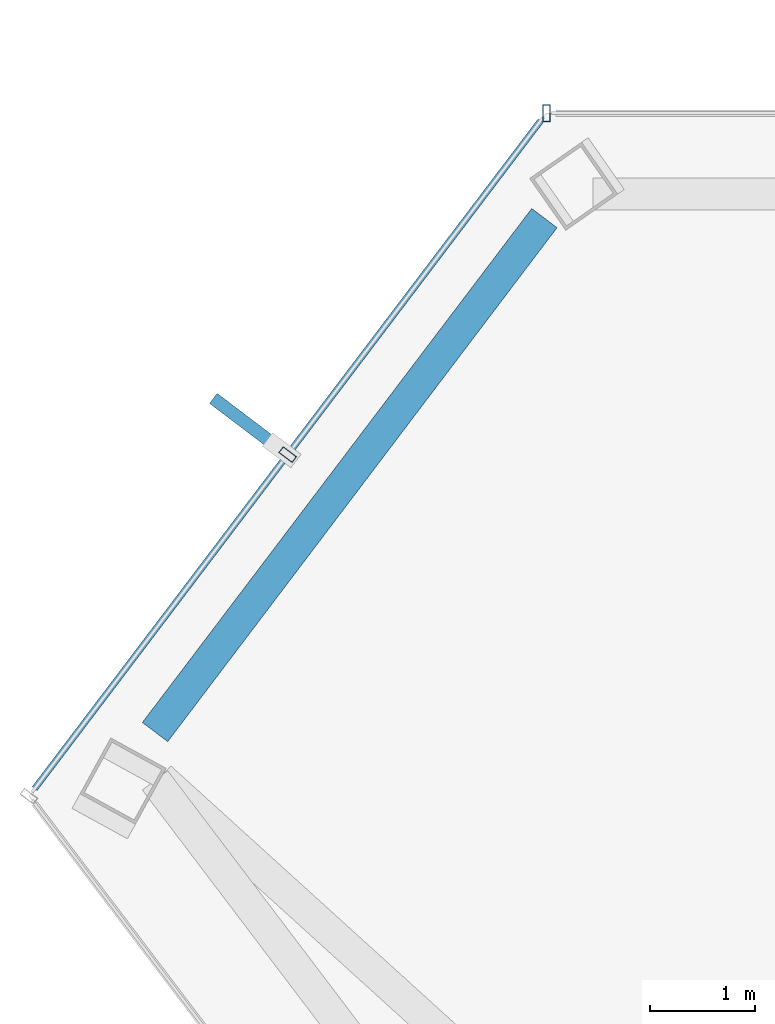
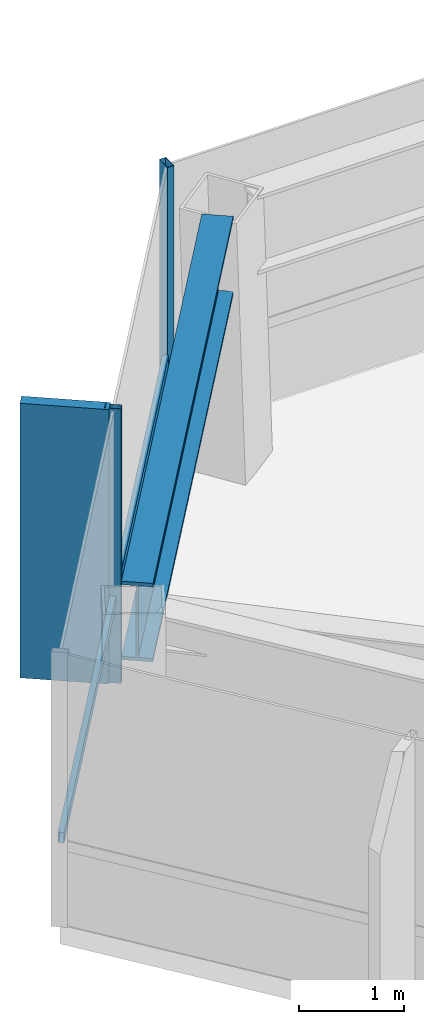
# One storey, part 10 of 25: 4 members, 1 beam, 2 elements without a shape of their own.
"""IFC4 building model written with IfcOpenShell, lengths in metres."""

from ifc_helpers import new_model, si_unit, direction, frame, origin, origin_2d, place, context, subcontext, project, spatial, rectangle, hollow_rectangle, i_section, extrude, material, layer, layer_set, material_profile, profile_set, type_object, element, aggregate, save


model = new_model("IFC4")

# Units and contexts
model_context = context("Model", 3, precision=1e-05, world=origin(), true_north=direction((0.0, 1.0)))
body_context = subcontext(model_context, "Body", "Model", "MODEL_VIEW")
ifc_project = project(units=[si_unit("LENGTHUNIT", "METRE"), si_unit("AREAUNIT", "SQUARE_METRE"), si_unit("VOLUMEUNIT", "CUBIC_METRE"), si_unit("PLANEANGLEUNIT", "RADIAN"), si_unit("MASSUNIT", "GRAM", prefix="KILO")], contexts=[model_context])

# Site, building, storey
site_placement = place(None, origin())
site = spatial("IfcSite", under=ifc_project, at=site_placement, CompositionType="ELEMENT")
building_placement = place(site_placement, origin())
building = spatial("IfcBuilding", under=site, at=building_placement, Name="Zarrinselat Tower", CompositionType="ELEMENT")
storey_placement = place(building_placement, frame((0.0, 0.0, 246.159912109375)))
storey = spatial("IfcBuildingStorey", under=building, at=storey_placement, Name="L62", CompositionType="ELEMENT", Elevation=246.159912109375)

# Beam
ifc_material_1 = material(Name="Steel S460M", Category="steel")
ifc_material_profile_1 = material_profile(ifc_material_1, i_section(OverallWidth=0.302001953125, OverallDepth=0.909912109375, WebThickness=0.02099609375, FlangeThickness=0.0400390625, at=origin_2d()), Name="HEM 900")
ifc_profile_set_1 = profile_set([ifc_material_profile_1], Name="Steel S460M")
beam_type = type_object("IfcBeamType", Name="BM-HEM900", PredefinedType="BEAM", material=ifc_profile_set_1)
beam_placement = place(storey_placement, frame((16.705078125, 42.18408203125, 2.72509765625), z_axis=(0.603871505174, 0.797081680406, 0.0), x_axis=(-0.797081680406, 0.603871505174, 0.0)))
element("IfcBeam", 1, at=beam_placement, inside=storey, type_object=beam_type, Name="L62 Perimeter Spandrel Girder SP05", PredefinedType="BEAM", context=body_context, shape_type="SweptSolid", body=[
    extrude(i_section(OverallWidth=0.302001953125, OverallDepth=0.909912109375, WebThickness=0.02099609375, FlangeThickness=0.0400390625, at=origin_2d()), origin(), (0.0, 0.0, 1.0), 6.123291015625),
])

# Curtain wall, member
ifc_material_2 = material(Name="Extruded Aluminium Alloy EN AW-6063 T6", Category="aluminium")
ifc_layer = layer(ifc_material_2, 0.169921875)
ifc_layer_set = layer_set([ifc_layer], Name="Extruded Aluminium Alloy EN AW-6063 T6")
curtain_wall_type = type_object("IfcCurtainWallType", Name="CWS-RES", PredefinedType="NOTDEFINED", material=ifc_layer_set)
curtain_wall_1_placement = place(storey_placement, origin())
curtain_wall_1 = element("IfcCurtainWall", 2, at=curtain_wall_1_placement, inside=storey, type_object=curtain_wall_type, Name="L62 Unitised Curtain Wall CW-L62-E01", PredefinedType="NOTDEFINED")
ifc_material_3 = material(Name="Extruded Aluminium Alloy EN AW-6063 T6", Category="aluminium")
ifc_material_profile_2 = material_profile(ifc_material_3, hollow_rectangle(XDim=0.070068359375, YDim=0.159912109375, WallThickness=0.00390625, at=origin_2d()), Name="RHS 160x70x4")
ifc_profile_set_2 = profile_set([ifc_material_profile_2], Name="Extruded Aluminium Alloy EN AW-6063 T6")
member_type_1 = type_object("IfcMemberType", Name="MEM-CW-MUL2", PredefinedType="MULLION", material=ifc_profile_set_2)
member_1_placement = place(storey_placement, frame((20.4208984375, 48.06103515625, 0.0), z_axis=(0.0, 0.0, 1.0), x_axis=(-1.0, 0.0, 0.0)))
member_1 = element("IfcMember", 3, at=member_1_placement, type_object=member_type_1, Name="CW-L62-E01 Mullion 13", PredefinedType="MULLION", context=body_context, shape_type="SweptSolid", body=[
    extrude(hollow_rectangle(XDim=0.070068359375, YDim=0.159912109375, WallThickness=0.00390625, at=origin_2d()), origin(), (0.0, 0.0, 1.0), 3.18017578125),
])
aggregate(curtain_wall_1, [member_1])

# Curtain wall, members
curtain_wall_2_placement = place(storey_placement, origin())
curtain_wall_2 = element("IfcCurtainWall", 4, at=curtain_wall_2_placement, inside=storey, type_object=curtain_wall_type, Name="L62 Unitised Curtain Wall CW-L62-E02", PredefinedType="NOTDEFINED")
member_2_placement = place(storey_placement, frame((17.96435546875, 44.818359375, 0.0), z_axis=(0.0, 0.0, 1.0), x_axis=(-0.603859107785, -0.797091072554, 0.0)))
member_2 = element("IfcMember", 5, at=member_2_placement, type_object=member_type_1, Name="CW-L62-E02 Mullion 1", PredefinedType="MULLION", context=body_context, shape_type="SweptSolid", body=[
    extrude(hollow_rectangle(XDim=0.070068359375, YDim=0.159912109375, WallThickness=0.00390625, at=origin_2d()), origin(), (0.0, 0.0, 1.0), 3.18017578125),
])
ifc_material_4 = material(Name="Extruded Aluminium Alloy EN AW-6063 T6", Category="aluminium")
ifc_material_profile_3 = material_profile(ifc_material_4, hollow_rectangle(XDim=0.06005859375, YDim=0.1201171875, WallThickness=0.00390625, at=origin_2d()), Name="RHS 120x60x4")
ifc_profile_set_3 = profile_set([ifc_material_profile_3], Name="Extruded Aluminium Alloy EN AW-6063 T6")
member_type_2 = type_object("IfcMemberType", Name="MEM-CW-TRN2", PredefinedType="USERDEFINED", material=ifc_profile_set_3)
member_3_placement = place(storey_placement, frame((20.36669921875, 47.989501953125, 0.9501953125), z_axis=(-0.60386654952, -0.797085434801, 0.0), x_axis=(0.797085434801, -0.60386654952, 0.0)))
member_3 = element("IfcMember", 6, at=member_3_placement, type_object=member_type_2, Name="CW-L62-E02 Transom 1", ObjectType="TRANSOM", PredefinedType="USERDEFINED", context=body_context, shape_type="SweptSolid", body=[
    extrude(hollow_rectangle(XDim=0.06005859375, YDim=0.1201171875, WallThickness=0.00390625, at=origin_2d()), origin(), (0.0, 0.0, 1.0), 7.95654296875),
])
ifc_material_5 = material(Name="Honed Cream Travertine Stone", Category="masonry")
ifc_material_profile_4 = material_profile(ifc_material_5, rectangle(XDim=0.1201171875, YDim=0.85009765625, at=origin_2d()), Name="FIN 850x120")
ifc_profile_set_4 = profile_set([ifc_material_profile_4], Name="Honed Cream Travertine Stone")
member_type_3 = type_object("IfcMemberType", Name="MEM-STONE-FIN", PredefinedType="USERDEFINED", material=ifc_profile_set_4)
member_4_placement = place(storey_placement, frame((17.59765625, 45.09619140625, 0.0), z_axis=(0.0, 0.0, 1.0), x_axis=(0.603859107785, 0.797091072554, 0.0)))
member_4 = element("IfcMember", 7, at=member_4_placement, type_object=member_type_3, Name="L62 Stone Shading Fin CW-L62-E02-01", ObjectType="FIN", PredefinedType="USERDEFINED", context=body_context, shape_type="SweptSolid", body=[
    extrude(rectangle(XDim=0.1201171875, YDim=0.85009765625, at=origin_2d()), origin(), (0.0, 0.0, 1.0), 3.18017578125),
])
aggregate(curtain_wall_2, [member_2, member_4, member_3])

save(model, "model.ifc")
